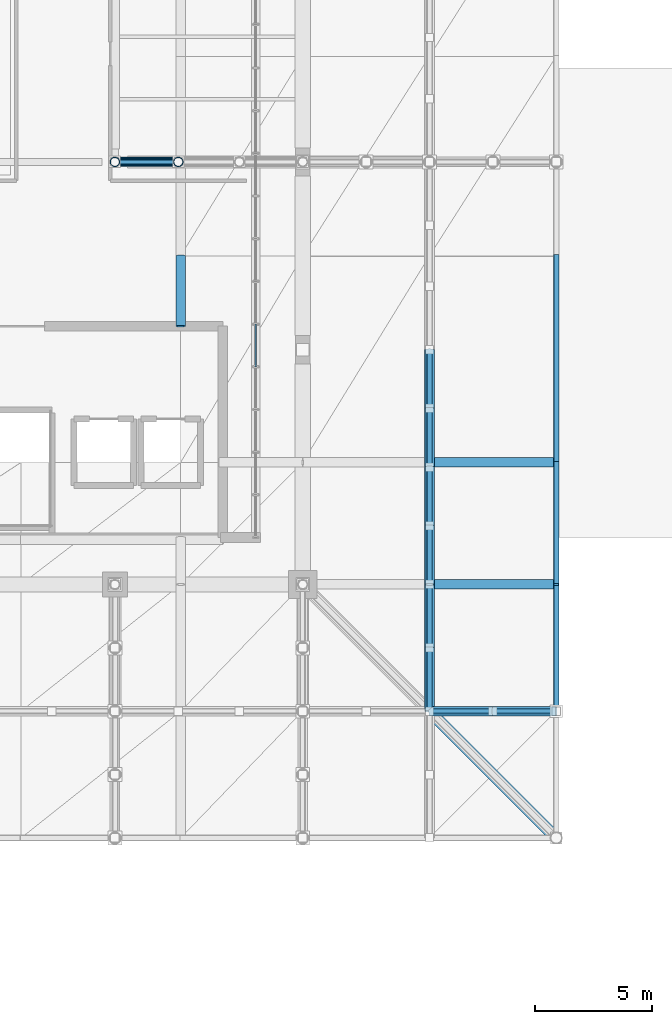
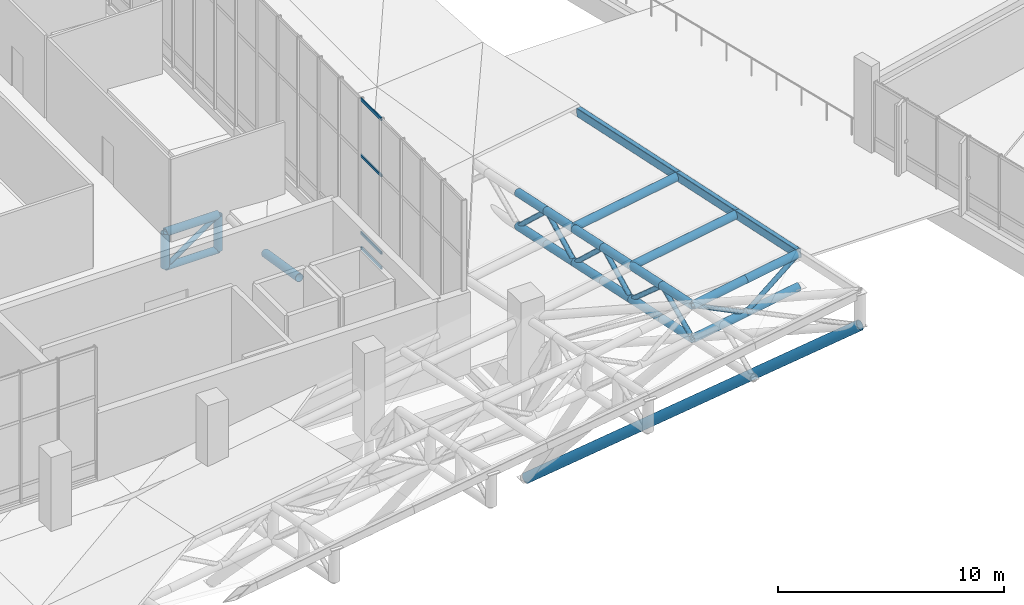
# One storey, part 64 of 137: 37 members, 3 beams, 1 element without a shape of its own.
"""IFC4 building model written with IfcOpenShell, lengths in metres."""

from ifc_helpers import new_model, si_unit, direction, frame, origin, origin_2d, place, context, subcontext, project, spatial, hollow_rectangle, hollow_circle, extrude, material, layer, layer_set, material_profile, profile_set, type_object, element, aggregate, save


model = new_model("IFC4")

# Units and contexts
model_context = context("Model", 3, precision=1e-05, world=origin(), true_north=direction((0.0, 1.0)))
body_context = subcontext(model_context, "Body", "Model", "MODEL_VIEW")
ifc_project = project(units=[si_unit("LENGTHUNIT", "METRE"), si_unit("AREAUNIT", "SQUARE_METRE"), si_unit("VOLUMEUNIT", "CUBIC_METRE"), si_unit("PLANEANGLEUNIT", "RADIAN"), si_unit("MASSUNIT", "GRAM", prefix="KILO")], contexts=[model_context])

# Site, building, storey
site_placement = place(None, origin())
site = spatial("IfcSite", under=ifc_project, at=site_placement, CompositionType="ELEMENT")
building_placement = place(site_placement, origin())
building = spatial("IfcBuilding", under=site, at=building_placement, Name="Khorjan Park Terminus", CompositionType="ELEMENT")
storey_placement = place(building_placement, frame((0.0, 0.0, 11.4)))
storey = spatial("IfcBuildingStorey", under=building, at=storey_placement, Name="L02", CompositionType="ELEMENT", Elevation=11.4)

# Members
ifc_material_1 = material(Name="Steel S355", Category="steel")
ifc_material_profile_1 = material_profile(ifc_material_1, hollow_circle(Radius=0.1222, WallThickness=0.0125, at=origin_2d()), Name="CHS 244.5x12.5")
ifc_profile_set_1 = profile_set([ifc_material_profile_1], Name="Steel S355")
member_type_1 = type_object("IfcMemberType", Name="MB-BR-245", PredefinedType="BRACE", material=ifc_profile_set_1)
member_1_placement = place(storey_placement, frame((128.0, 44.0, -1.92), z_axis=(0.822082565391, 0.0, 0.569368295289), x_axis=(0.0, 1.0, 0.0)))
element("IfcMember", 1, at=member_1_placement, inside=storey, type_object=member_type_1, Name="Lower shell W/E truss diagonal (E1)", PredefinedType="BRACE", context=body_context, shape_type="SweptSolid", body=[
    extrude(hollow_circle(Radius=0.1222, WallThickness=0.0125, at=origin_2d()), origin(), (0.0, 0.0, 1.0), 3.2843),
])
ifc_material_profile_2 = material_profile(ifc_material_1, hollow_circle(Radius=0.1222, WallThickness=0.0125, at=origin_2d()), Name="CHS 244.5x12.5")
ifc_profile_set_2 = profile_set([ifc_material_profile_2], Name="Steel S355")
member_type_2 = type_object("IfcMemberType", Name="MB-BRE-245", PredefinedType="BRACE", material=ifc_profile_set_2)
member_2_placement = place(storey_placement, frame((141.4, 20.6, 5.5096), z_axis=(0.895485989032, 0.0, -0.445089702697), x_axis=(0.0, 1.0, 0.0)))
element("IfcMember", 2, at=member_2_placement, inside=storey, type_object=member_type_2, Name="Lower shell mid-ring diagonal (S40)", PredefinedType="BRACE", context=body_context, shape_type="SweptSolid", body=[
    extrude(hollow_circle(Radius=0.1222, WallThickness=0.0125, at=origin_2d()), origin(), (0.0, 0.0, 1.0), 3.0151),
])
member_3_placement = place(storey_placement, frame((144.1, 20.6, 4.1676), z_axis=(0.767102290967, 0.0, 0.641524804816), x_axis=(0.0, 1.0, 0.0)))
element("IfcMember", 3, at=member_3_placement, inside=storey, type_object=member_type_2, Name="Lower shell mid-ring diagonal (S41)", PredefinedType="BRACE", context=body_context, shape_type="SweptSolid", body=[
    extrude(hollow_circle(Radius=0.1222, WallThickness=0.0125, at=origin_2d()), origin(), (0.0, 0.0, 1.0), 3.5197),
])
member_4_placement = place(storey_placement, frame((141.4, 20.6, 3.7096), z_axis=(0.0, 0.910426516303, 0.413670833408), x_axis=(-1.0, 0.0, 0.0)))
element("IfcMember", 4, at=member_4_placement, inside=storey, type_object=member_type_2, Name="Lower shell mid-ring diagonal (E3)", PredefinedType="BRACE", context=body_context, shape_type="SweptSolid", body=[
    extrude(hollow_circle(Radius=0.1222, WallThickness=0.0125, at=origin_2d()), origin(), (0.0, 0.0, 1.0), 2.9656),
])
member_5_placement = place(storey_placement, frame((141.4, 23.3, 4.9364), z_axis=(0.0, 0.751099687052, -0.660188806411), x_axis=(-1.0, 0.0, 0.0)))
element("IfcMember", 5, at=member_5_placement, inside=storey, type_object=member_type_2, Name="Lower shell mid-ring diagonal (E4)", PredefinedType="BRACE", context=body_context, shape_type="SweptSolid", body=[
    extrude(hollow_circle(Radius=0.1222, WallThickness=0.0125, at=origin_2d()), origin(), (0.0, 0.0, 1.0), 3.5947),
])
member_6_placement = place(storey_placement, frame((141.4, 26.0, 2.5632), z_axis=(0.0, 0.891656802084, 0.452711991554), x_axis=(-1.0, 0.0, 0.0)))
element("IfcMember", 6, at=member_6_placement, inside=storey, type_object=member_type_2, Name="Lower shell mid-ring diagonal (E5)", PredefinedType="BRACE", context=body_context, shape_type="SweptSolid", body=[
    extrude(hollow_circle(Radius=0.1222, WallThickness=0.0125, at=origin_2d()), origin(), (0.0, 0.0, 1.0), 2.8038),
])
member_7_placement = place(storey_placement, frame((141.4, 28.5, 3.8325), z_axis=(0.0, 0.731439462043, -0.681906381673), x_axis=(-1.0, 0.0, 0.0)))
element("IfcMember", 7, at=member_7_placement, inside=storey, type_object=member_type_2, Name="Lower shell mid-ring diagonal (E6)", PredefinedType="BRACE", context=body_context, shape_type="SweptSolid", body=[
    extrude(hollow_circle(Radius=0.1222, WallThickness=0.0125, at=origin_2d()), origin(), (0.0, 0.0, 1.0), 3.4179),
])
member_8_placement = place(storey_placement, frame((141.4, 31.0, 1.5018), z_axis=(0.0, 0.891671199046, 0.452683634332), x_axis=(-1.0, 0.0, 0.0)))
element("IfcMember", 8, at=member_8_placement, inside=storey, type_object=member_type_2, Name="Lower shell mid-ring diagonal (E7)", PredefinedType="BRACE", context=body_context, shape_type="SweptSolid", body=[
    extrude(hollow_circle(Radius=0.1222, WallThickness=0.0125, at=origin_2d()), origin(), (0.0, 0.0, 1.0), 2.8037),
])
member_9_placement = place(storey_placement, frame((141.4, 33.5, 2.771), z_axis=(0.0, 0.731439462043, -0.681906381673), x_axis=(-1.0, 0.0, 0.0)))
element("IfcMember", 9, at=member_9_placement, inside=storey, type_object=member_type_2, Name="Lower shell mid-ring diagonal (E8)", PredefinedType="BRACE", context=body_context, shape_type="SweptSolid", body=[
    extrude(hollow_circle(Radius=0.1222, WallThickness=0.0125, at=origin_2d()), origin(), (0.0, 0.0, 1.0), 3.4179),
])
ifc_material_profile_3 = material_profile(ifc_material_1, hollow_circle(Radius=0.1778, WallThickness=0.016, at=origin_2d()), Name="CHS 355.6x16")
ifc_profile_set_3 = profile_set([ifc_material_profile_3], Name="Steel S355")
member_type_3 = type_object("IfcMemberType", Name="MB-CH-356", PredefinedType="CHORD", material=ifc_profile_set_3)
member_10_placement = place(storey_placement, frame((128.0, 44.0, -1.92), z_axis=(1.0, 0.0, 0.0), x_axis=(0.0, 1.0, 0.0)))
element("IfcMember", 10, at=member_10_placement, inside=storey, type_object=member_type_3, Name="Lower shell W/E truss bottom chord (E1)", PredefinedType="CHORD", context=body_context, shape_type="SweptSolid", body=[
    extrude(hollow_circle(Radius=0.1778, WallThickness=0.016, at=origin_2d()), origin(), (0.0, 0.0, 1.0), 2.7),
])
ifc_material_profile_4 = material_profile(ifc_material_1, hollow_circle(Radius=0.2032, WallThickness=0.016, at=origin_2d()), Name="CHS 406.4x16")
ifc_profile_set_4 = profile_set([ifc_material_profile_4], Name="Steel S355")
member_type_4 = type_object("IfcMemberType", Name="MB-CH-406", PredefinedType="CHORD", material=ifc_profile_set_4)
member_11_placement = place(storey_placement, frame((130.8, 37.0, 0.754), z_axis=(0.0, 0.98702667737, -0.160556339519), x_axis=(-1.0, 0.0, 0.0)))
element("IfcMember", 11, at=member_11_placement, inside=storey, type_object=member_type_4, Name="Lower wrapping shell rim chord (141)", PredefinedType="CHORD", context=body_context, shape_type="SweptSolid", body=[
    extrude(hollow_circle(Radius=0.2032, WallThickness=0.016, at=origin_2d()), origin(), (0.0, 0.0, 1.0), 3.0394),
])
member_12_placement = place(storey_placement, frame((128.0, 44.0, -0.05), z_axis=(1.0, 0.0, 0.0), x_axis=(0.0, 1.0, 0.0)))
element("IfcMember", 12, at=member_12_placement, inside=storey, type_object=member_type_4, Name="Lower shell W/E truss top chord (E1)", PredefinedType="CHORD", context=body_context, shape_type="SweptSolid", body=[
    extrude(hollow_circle(Radius=0.2032, WallThickness=0.016, at=origin_2d()), origin(), (0.0, 0.0, 1.0), 2.7),
])
ifc_material_profile_5 = material_profile(ifc_material_1, hollow_circle(Radius=0.2032, WallThickness=0.016, at=origin_2d()), Name="CHS 406.4x16")
ifc_profile_set_5 = profile_set([ifc_material_profile_5], Name="Steel S355")
member_type_5 = type_object("IfcMemberType", Name="MB-CHE-406", PredefinedType="CHORD", material=ifc_profile_set_5)
for number, where, z_axis, x_axis, name in (
    (13, (141.4, 26.0, 4.3632), (0.985913104802, 0.0, 0.167258332465), (0.0, 1.0, 0.0), "Lower wrapping shell rim chord (71)"),
    (14, (141.4, 31.2, 3.2593), (0.985913104802, 0.0, 0.167258332465), (0.0, 1.0, 0.0), "Lower wrapping shell rim chord (88)"),
):
    element("IfcMember", number, at=place(storey_placement, frame(where, z_axis=z_axis, x_axis=x_axis)), inside=storey, type_object=member_type_5, Name=name, PredefinedType="CHORD", context=body_context, shape_type="SweptSolid", body=[
        extrude(hollow_circle(Radius=0.2032, WallThickness=0.016, at=origin_2d()), origin(), (0.0, 0.0, 1.0), 5.4772),
    ])
for number, where, z_axis, x_axis, name in (
    (15, (141.4, 20.6, 5.5096), (0.985916115378, 0.0, 0.167240585497), (0.0, 1.0, 0.0), "Lower shell mid-ring top chord (S40)"),
    (16, (141.4, 20.6, 3.7096), (0.985916115378, 0.0, 0.167240585497), (0.0, 1.0, 0.0), "Lower shell mid-ring bottom chord (S40)"),
    (17, (144.1, 20.6, 5.9676), (0.985916115378, 0.0, 0.167240585497), (0.0, 1.0, 0.0), "Lower shell mid-ring top chord (S41)"),
    (18, (144.1, 20.6, 4.1676), (0.985916115378, 0.0, 0.167240585497), (0.0, 1.0, 0.0), "Lower shell mid-ring bottom chord (S41)"),
):
    element("IfcMember", number, at=place(storey_placement, frame(where, z_axis=z_axis, x_axis=x_axis)), inside=storey, type_object=member_type_5, Name=name, PredefinedType="CHORD", context=body_context, shape_type="SweptSolid", body=[
        extrude(hollow_circle(Radius=0.2032, WallThickness=0.016, at=origin_2d()), origin(), (0.0, 0.0, 1.0), 2.7386),
    ])
for number, where, z_axis, x_axis, name in (
    (19, (141.4, 20.6, 5.5096), (0.0, 0.978199346233, -0.207668098245), (-1.0, 0.0, 0.0), "Lower shell mid-ring top chord (E3)"),
    (20, (141.4, 20.6, 3.7096), (0.0, 0.978199346233, -0.207668098245), (-1.0, 0.0, 0.0), "Lower shell mid-ring bottom chord (E3)"),
    (21, (141.4, 23.3, 4.9364), (0.0, 0.978199346233, -0.207668098245), (-1.0, 0.0, 0.0), "Lower shell mid-ring top chord (E4)"),
    (22, (141.4, 23.3, 3.1364), (0.0, 0.978199346233, -0.207668098245), (-1.0, 0.0, 0.0), "Lower shell mid-ring bottom chord (E4)"),
):
    element("IfcMember", number, at=place(storey_placement, frame(where, z_axis=z_axis, x_axis=x_axis)), inside=storey, type_object=member_type_5, Name=name, PredefinedType="CHORD", context=body_context, shape_type="SweptSolid", body=[
        extrude(hollow_circle(Radius=0.2032, WallThickness=0.016, at=origin_2d()), origin(), (0.0, 0.0, 1.0), 2.7602),
    ])
for number, where, z_axis, x_axis, name in (
    (23, (141.4, 26.0, 4.3632), (0.0, 0.978202584398, -0.207652844616), (-1.0, 0.0, 0.0), "Lower shell mid-ring top chord (E5)"),
    (24, (141.4, 26.0, 2.5632), (0.0, 0.978202584398, -0.207652844616), (-1.0, 0.0, 0.0), "Lower shell mid-ring bottom chord (E5)"),
    (25, (141.4, 28.5, 3.8325), (0.0, 0.978202584398, -0.207652844616), (-1.0, 0.0, 0.0), "Lower shell mid-ring top chord (E6)"),
    (26, (141.4, 28.5, 2.0325), (0.0, 0.978202584398, -0.207652844616), (-1.0, 0.0, 0.0), "Lower shell mid-ring bottom chord (E6)"),
    (27, (141.4, 31.0, 3.3018), (0.0, 0.978194635789, -0.207690285071), (-1.0, 0.0, 0.0), "Lower shell mid-ring top chord (E7)"),
    (28, (141.4, 31.0, 1.5018), (0.0, 0.978194635789, -0.207690285071), (-1.0, 0.0, 0.0), "Lower shell mid-ring bottom chord (E7)"),
    (29, (141.4, 33.5, 2.771), (0.0, 0.978202584398, -0.207652844616), (-1.0, 0.0, 0.0), "Lower shell mid-ring top chord (E8)"),
    (30, (141.4, 33.5, 0.971), (0.0, 0.978202584398, -0.207652844616), (-1.0, 0.0, 0.0), "Lower shell mid-ring bottom chord (E8)"),
):
    element("IfcMember", number, at=place(storey_placement, frame(where, z_axis=z_axis, x_axis=x_axis)), inside=storey, type_object=member_type_5, Name=name, PredefinedType="CHORD", context=body_context, shape_type="SweptSolid", body=[
        extrude(hollow_circle(Radius=0.2032, WallThickness=0.016, at=origin_2d()), origin(), (0.0, 0.0, 1.0), 2.5557),
    ])
ifc_material_profile_6 = material_profile(ifc_material_1, hollow_circle(Radius=0.2032, WallThickness=0.016, at=origin_2d()), Name="CHS 406.4x16")
ifc_profile_set_6 = profile_set([ifc_material_profile_6], Name="Steel S355")
member_type_6 = type_object("IfcMemberType", Name="MB-ST-406", PredefinedType="STRUT", material=ifc_profile_set_6)
for number, where, z_axis, x_axis, name in (
    (31, (128.0, 44.0, -1.92), (0.0, 0.0, 1.0), (1.0, 0.0, 0.0), "Lower shell W/E truss post (E1)"),
    (32, (130.7, 44.0, -1.92), (0.0, 0.0, 1.0), (1.0, 0.0, 0.0), "Lower shell W/E truss post (E1)"),
):
    element("IfcMember", number, at=place(storey_placement, frame(where, z_axis=z_axis, x_axis=x_axis)), inside=storey, type_object=member_type_6, Name=name, PredefinedType="STRUT", context=body_context, shape_type="SweptSolid", body=[
        extrude(hollow_circle(Radius=0.2032, WallThickness=0.016, at=origin_2d()), origin(), (0.0, 0.0, 1.0), 1.87),
    ])
ifc_material_profile_7 = material_profile(ifc_material_1, hollow_circle(Radius=0.254, WallThickness=0.02, at=origin_2d()), Name="CHS 508x20")
ifc_profile_set_7 = profile_set([ifc_material_profile_7], Name="Steel S355")
member_type_7 = type_object("IfcMemberType", Name="MB-STE-508", PredefinedType="STRUT", material=ifc_profile_set_7)
member_13_placement = place(storey_placement, frame((136.0, 26.0, -5.2), z_axis=(0.573430346796, -0.573430346796, 0.585111335342), x_axis=(0.707106781187, 0.707106781187, 0.0)))
element("IfcMember", 33, at=member_13_placement, inside=storey, type_object=member_type_7, Name="Lower shell upturned corner truss STE-51 (SE)", PredefinedType="STRUT", context=body_context, shape_type="SweptSolid", body=[
    extrude(hollow_circle(Radius=0.254, WallThickness=0.02, at=origin_2d()), origin(), (0.0, 0.0, 1.0), 18.834),
])

# Beams
ifc_material_profile_8 = material_profile(ifc_material_1, hollow_rectangle(XDim=0.25, YDim=0.45, WallThickness=0.016, InnerFilletRadius=0.016, OuterFilletRadius=0.032, at=origin_2d()), Name="RHS 450x250x16")
ifc_profile_set_8 = profile_set([ifc_material_profile_8], Name="Steel S355")
beam_type = type_object("IfcBeamType", Name="SP-RHS450", PredefinedType="SPANDREL", material=ifc_profile_set_8)
beam_1_placement = place(storey_placement, frame((146.8, 20.6, 6.4036), z_axis=(0.0, 0.978203025949, -0.207650764564), x_axis=(-1.0, 0.0, 0.0)))
element("IfcBeam", 34, at=beam_1_placement, inside=storey, type_object=beam_type, Name="Lower wrapping shell upturned edge beam SP-R45 (46)", PredefinedType="SPANDREL", context=body_context, shape_type="SweptSolid", body=[
    extrude(hollow_rectangle(XDim=0.25, YDim=0.45, WallThickness=0.016, InnerFilletRadius=0.016, OuterFilletRadius=0.032, at=origin_2d()), origin(), (0.0, 0.0, 1.0), 5.5203),
])
beam_2_placement = place(storey_placement, frame((146.8, 26.0, 5.2573), z_axis=(0.0, 0.97820090307, -0.207660764788), x_axis=(-1.0, 0.0, 0.0)))
element("IfcBeam", 35, at=beam_2_placement, inside=storey, type_object=beam_type, Name="Lower wrapping shell upturned edge beam SP-R45 (47)", PredefinedType="SPANDREL", context=body_context, shape_type="SweptSolid", body=[
    extrude(hollow_rectangle(XDim=0.25, YDim=0.45, WallThickness=0.016, InnerFilletRadius=0.016, OuterFilletRadius=0.032, at=origin_2d()), origin(), (0.0, 0.0, 1.0), 5.3159),
])
beam_3_placement = place(storey_placement, frame((146.8, 31.2, 4.1534), z_axis=(0.0, 0.978199513499, -0.207667310354), x_axis=(-1.0, 0.0, 0.0)))
element("IfcBeam", 36, at=beam_3_placement, inside=storey, type_object=beam_type, Name="Lower wrapping shell upturned edge beam SP-R45 (48)", PredefinedType="SPANDREL", context=body_context, shape_type="SweptSolid", body=[
    extrude(hollow_rectangle(XDim=0.25, YDim=0.45, WallThickness=0.016, InnerFilletRadius=0.016, OuterFilletRadius=0.032, at=origin_2d()), origin(), (0.0, 0.0, 1.0), 8.9961),
])

# Curtain wall, members
ifc_material_2 = material(Name="Anodized Bronze Aluminium", Category="aluminium")
ifc_layer = layer(ifc_material_2, 0.22)
ifc_layer_set = layer_set([ifc_layer], Name="Anodized Bronze Aluminium")
curtain_wall_type = type_object("IfcCurtainWallType", Name="CW-CONC-CLR", PredefinedType="NOTDEFINED", material=ifc_layer_set)
curtain_wall_placement = place(storey_placement, origin())
curtain_wall = element("IfcCurtainWall", 37, at=curtain_wall_placement, inside=storey, type_object=curtain_wall_type, Name="Unitized curtain wall CW-CL (CW-V2-E-CLR-01)", PredefinedType="NOTDEFINED")
ifc_material_profile_9 = material_profile(ifc_material_2, hollow_rectangle(XDim=0.07, YDim=0.16, WallThickness=0.004, InnerFilletRadius=0.004, OuterFilletRadius=0.008, at=origin_2d()), Name="ALT 70x160x4")
ifc_profile_set_9 = profile_set([ifc_material_profile_9], Name="Anodized Bronze Aluminium")
member_type_8 = type_object("IfcMemberType", Name="TR-ALT-160", PredefinedType="USERDEFINED", material=ifc_profile_set_9)
member_14_placement = place(storey_placement, frame((134.0, 35.2727, 1.2021), z_axis=(0.0, 1.0, 0.0), x_axis=(-1.0, 0.0, 0.0)))
member_14 = element("IfcMember", 38, at=member_14_placement, type_object=member_type_8, Name="Curtain-wall transom TR-16 (CW-V2-E-CLR-01-4-1)", ObjectType="TRANSOM", PredefinedType="USERDEFINED", context=body_context, shape_type="SweptSolid", body=[
    extrude(hollow_rectangle(XDim=0.07, YDim=0.16, WallThickness=0.004, InnerFilletRadius=0.004, OuterFilletRadius=0.008, at=origin_2d()), origin(), (0.0, 0.0, 1.0), 1.8182),
])
member_15_placement = place(storey_placement, frame((134.0, 35.2727, 2.0121), z_axis=(0.0, 1.0, 0.0), x_axis=(-1.0, 0.0, 0.0)))
member_15 = element("IfcMember", 39, at=member_15_placement, type_object=member_type_8, Name="Curtain-wall transom TR-16 (CW-V2-E-CLR-01-4-2)", ObjectType="TRANSOM", PredefinedType="USERDEFINED", context=body_context, shape_type="SweptSolid", body=[
    extrude(hollow_rectangle(XDim=0.07, YDim=0.16, WallThickness=0.004, InnerFilletRadius=0.004, OuterFilletRadius=0.008, at=origin_2d()), origin(), (0.0, 0.0, 1.0), 1.8182),
])
member_16_placement = place(storey_placement, frame((134.0, 35.2727, 6.1824), z_axis=(0.0, 1.0, 0.0), x_axis=(-1.0, 0.0, 0.0)))
member_16 = element("IfcMember", 40, at=member_16_placement, type_object=member_type_8, Name="Curtain-wall transom TR-16 (CW-V2-E-CLR-01-4-3)", ObjectType="TRANSOM", PredefinedType="USERDEFINED", context=body_context, shape_type="SweptSolid", body=[
    extrude(hollow_rectangle(XDim=0.07, YDim=0.16, WallThickness=0.004, InnerFilletRadius=0.004, OuterFilletRadius=0.008, at=origin_2d()), origin(), (0.0, 0.0, 1.0), 1.8182),
])
member_17_placement = place(storey_placement, frame((134.0, 35.2727, 9.2194), z_axis=(0.0, 1.0, 0.0), x_axis=(-1.0, 0.0, 0.0)))
member_17 = element("IfcMember", 41, at=member_17_placement, type_object=member_type_8, Name="Curtain-wall transom TR-16 (CW-V2-E-CLR-01-4-4)", ObjectType="TRANSOM", PredefinedType="USERDEFINED", context=body_context, shape_type="SweptSolid", body=[
    extrude(hollow_rectangle(XDim=0.07, YDim=0.16, WallThickness=0.004, InnerFilletRadius=0.004, OuterFilletRadius=0.008, at=origin_2d()), origin(), (0.0, 0.0, 1.0), 1.8182),
])
aggregate(curtain_wall, [member_14, member_15, member_16, member_17])

save(model, "model.ifc")
